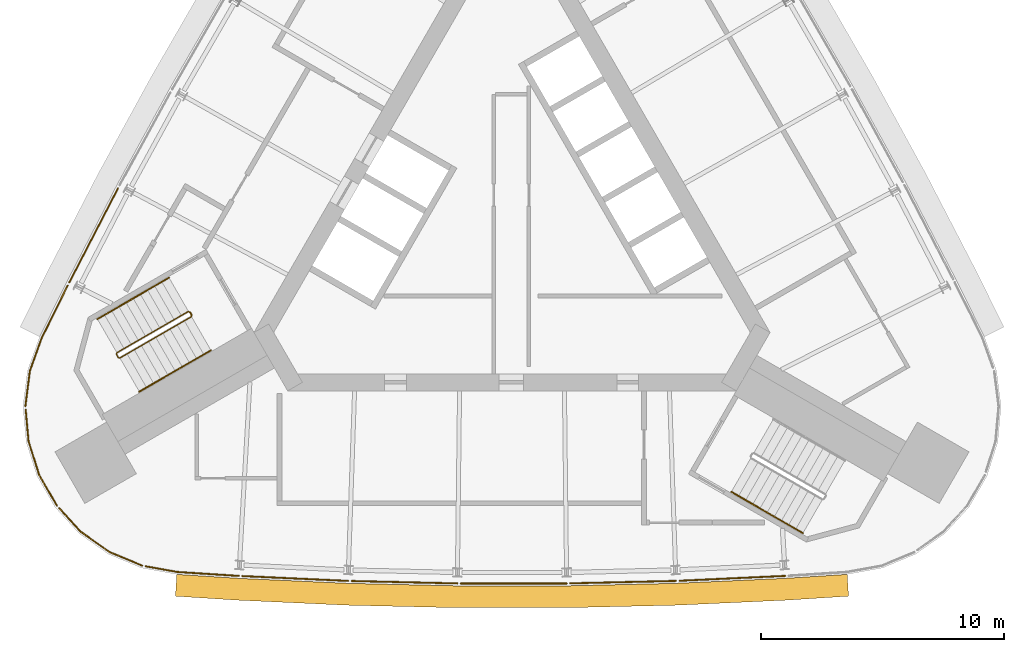
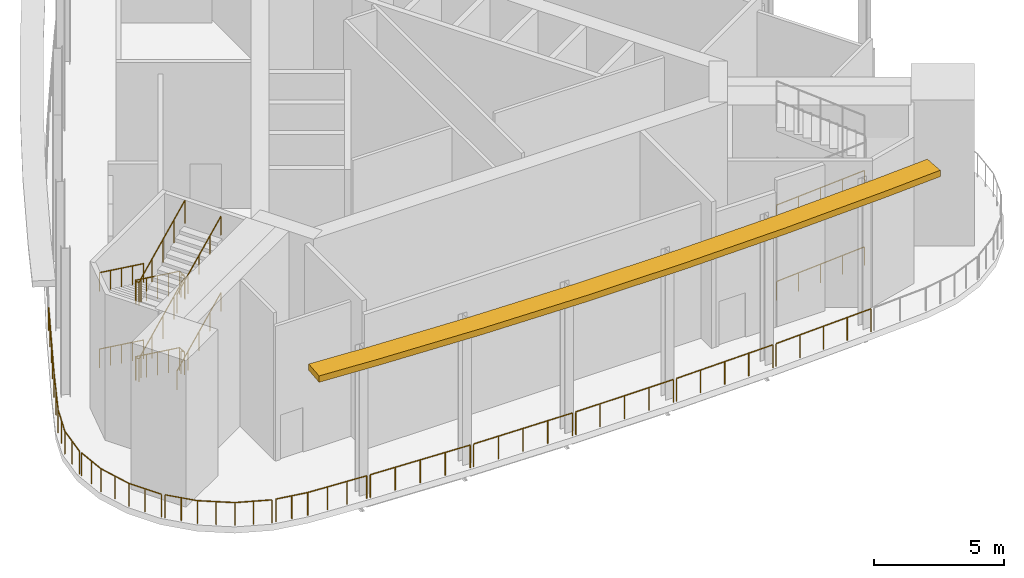
# One storey, part 5 of 7: 17 railings, 1 shading device.
"""IFC4 building model written with IfcOpenShell, lengths in metres."""

from ifc_helpers import new_model, si_unit, direction, frame, origin, origin_2d, place, context, subcontext, project, spatial, polyline, circle, outline, extrude, material, type_object, element, save


model = new_model("IFC4")

# Units and contexts
model_context = context("Model", 3, precision=1e-05, world=origin(), true_north=direction((0.0, 1.0)))
body_context = subcontext(model_context, "Body", "Model", "MODEL_VIEW")
ifc_project = project(units=[si_unit("LENGTHUNIT", "METRE"), si_unit("AREAUNIT", "SQUARE_METRE"), si_unit("VOLUMEUNIT", "CUBIC_METRE"), si_unit("PLANEANGLEUNIT", "RADIAN"), si_unit("MASSUNIT", "GRAM", prefix="KILO")], contexts=[model_context])

# Site, building, storey
site_placement = place(None, origin())
site = spatial("IfcSite", under=ifc_project, at=site_placement, CompositionType="ELEMENT")
building_placement = place(site_placement, origin())
building = spatial("IfcBuilding", under=site, at=building_placement, Name="Noor Cloister Tower", CompositionType="ELEMENT")
storey_placement = place(building_placement, frame((0.0, 0.0, 250.800048828125)))
storey = spatial("IfcBuildingStorey", under=building, at=storey_placement, Name="L65", CompositionType="ELEMENT", Elevation=250.800048828125)

# Shading device
ifc_material_1 = material(Name="Limestone", Category="masonry")
shading_device_type = type_object("IfcShadingDeviceType", Name="SUNSHADE limestone band 900", PredefinedType="USERDEFINED", material=ifc_material_1)
shading_device_placement = place(storey_placement, frame((0.0, 0.0, 6.89990234375)))
element("IfcShadingDevice", 1, at=shading_device_placement, inside=storey, type_object=shading_device_type, Name="SUNSHADE L65 2", ObjectType="SUNSHADE", PredefinedType="USERDEFINED", context=body_context, shape_type="SweptSolid", body=[
    extrude(outline(polyline([(-13.84619140625, -15.376220703125), (-11.293212890625, -15.539306640625), (-6.779541015625, -15.746337890625), (-2.26025390625, -15.85009765625), (2.26025390625, -15.85009765625), (6.779541015625, -15.746337890625), (11.293212890625, -15.539306640625), (13.84619140625, -15.376220703125), (13.788818359375, -14.47802734375), (11.243896484375, -14.640625), (6.748779296875, -14.846923828125), (2.25, -14.949951171875), (-2.25, -14.949951171875), (-6.748779296875, -14.846923828125), (-11.243896484375, -14.640625), (-13.788818359375, -14.47802734375), (-13.84619140625, -15.376220703125)])), origin(), (0.0, 0.0, 1.0), 0.300048828125),
])

# Railings
ifc_material_2 = material(Name="Stainless steel", Category="steel")
railing_type_1 = type_object("IfcRailingType", Name="Stair guard 1100", PredefinedType="GUARDRAIL", material=ifc_material_2)
railing_1_placement = place(storey_placement, frame((-13.241455078125, -3.677734375, 0.0)))
element("IfcRailing", 2, at=railing_1_placement, inside=storey, type_object=railing_type_1, Name="Stair guard ST2 L65", PredefinedType="GUARDRAIL", context=body_context, shape_type="SweptSolid", body=[
    extrude(circle(Radius=0.02392578125, at=origin_2d()), frame((0.0, 0.0, 1.076171875), z_axis=(0.499112439033, -0.866537231285, 0.0), x_axis=(0.866537231285, 0.499112439033, 0.0)), (0.0, 0.0, 1.0), 0.150146484375),
    extrude(circle(Radius=0.02392578125, at=origin_2d()), frame((0.074951171875, -0.130126953125, 1.076171875), z_axis=(-0.544565797804, 0.563119998752, 0.621565731736), x_axis=(-0.718850276695, -0.695164929852, 0.0)), (0.0, 0.0, 1.0), 0.26318359375),
    extrude(circle(Radius=0.02392578125, at=origin_2d()), frame((-0.068359375, 0.01806640625, 1.23974609375), z_axis=(-0.780355043238, -0.450510916679, 0.433688736823), x_axis=(0.499977295307, -0.866038511948, 0.0)), (0.0, 0.0, 1.0), 3.7734375),
    extrude(circle(Radius=0.02392578125, at=origin_2d()), frame((-3.012939453125, -1.681884765625, 2.8759765625), z_axis=(-0.259601060869, -0.965715946433, 0.0), x_axis=(0.965715946433, -0.259601060869, 0.0)), (0.0, 0.0, 1.0), 0.070556640625),
    extrude(circle(Radius=0.02392578125, at=origin_2d()), frame((-3.03125, -1.75, 2.8759765625), z_axis=(0.500331725305, -0.865833797362, 0.0), x_axis=(0.865833797362, 0.500331725305, 0.0)), (0.0, 0.0, 1.0), 0.150390625),
    extrude(circle(Radius=0.02392578125, at=origin_2d()), frame((-2.9560546875, -1.880126953125, 2.8759765625), z_axis=(0.382383415203, -0.102791240646, 0.918268416436), x_axis=(0.259601060869, 0.965715946433, 0.0)), (0.0, 0.0, 1.0), 0.17822265625),
    extrude(circle(Radius=0.02392578125, at=origin_2d()), frame((-2.887939453125, -1.8984375, 3.03955078125), z_axis=(0.780354190629, 0.450575125076, 0.433623562357), x_axis=(-0.500031147688, 0.866007419912, 0.0)), (0.0, 0.0, 1.0), 3.7734375),
    extrude(circle(Radius=0.02392578125, at=origin_2d()), frame((0.056640625, -0.1982421875, 4.67578125), z_axis=(-0.274721127897, 0.961523947641, 0.0), x_axis=(-0.961523947641, -0.274721127897, 0.0)), (0.0, 0.0, 1.0), 0.2060546875),
    extrude(circle(Radius=0.02392578125, at=origin_2d()), frame((0.0, 0.0, 4.67578125), z_axis=(0.499112439033, -0.866537231285, 0.0), x_axis=(0.866537231285, 0.499112439033, 0.0)), (0.0, 0.0, 1.0), 0.150146484375),
    extrude(circle(Radius=0.02392578125, at=origin_2d()), frame((0.074951171875, -0.130126953125, 4.67578125), z_axis=(-0.544251820729, 0.562795323991, 0.622134534428), x_axis=(-0.718850276695, -0.695164929852, 0.0)), (0.0, 0.0, 1.0), 0.263427734375),
    extrude(circle(Radius=0.02392578125, at=origin_2d()), frame((-0.068359375, 0.01806640625, 4.83984375), z_axis=(-0.780376939258, -0.450523557587, 0.433636203209), x_axis=(0.499977295307, -0.866038511948, 0.0)), (0.0, 0.0, 1.0), 3.773193359375),
    extrude(circle(Radius=0.02392578125, at=origin_2d()), frame((-3.012939453125, -1.681884765625, 6.47607421875), z_axis=(-0.259601060869, -0.965715946433, 0.0), x_axis=(0.965715946433, -0.259601060869, 0.0)), (0.0, 0.0, 1.0), 0.070556640625),
    extrude(circle(Radius=0.02392578125, at=origin_2d()), frame((-3.03125, -1.75, 6.47607421875), z_axis=(0.500331725305, -0.865833797362, 0.0), x_axis=(0.865833797362, 0.500331725305, 0.0)), (0.0, 0.0, 1.0), 0.150390625),
    extrude(circle(Radius=0.02392578125, at=origin_2d()), frame((-2.9560546875, -1.880126953125, 6.47607421875), z_axis=(0.382383415203, -0.102791240646, 0.918268416436), x_axis=(0.259601060869, 0.965715946433, 0.0)), (0.0, 0.0, 1.0), 0.17822265625),
    extrude(circle(Radius=0.02392578125, at=origin_2d()), frame((-2.887939453125, -1.8984375, 6.6396484375), z_axis=(0.780332296523, 0.450562483458, 0.433676095149), x_axis=(-0.500031147688, 0.866007419912, 0.0)), (0.0, 0.0, 1.0), 3.7734375),
    extrude(circle(Radius=0.02099609375, at=origin_2d()), origin(), (0.0, 0.0, 1.0), 1.052001953125),
    extrude(circle(Radius=0.02099609375, at=origin_2d()), frame((0.074951171875, -0.130126953125, 0.0)), (0.0, 0.0, 1.0), 1.052001953125),
    extrude(circle(Radius=0.02099609375, at=origin_2d()), frame((-0.068359375, 0.01806640625, 0.16357421875)), (0.0, 0.0, 1.0), 1.052001953125),
    extrude(circle(Radius=0.02099609375, at=origin_2d()), frame((-0.804443359375, -0.406982421875, 0.57275390625)), (0.0, 0.0, 1.0), 1.052001953125),
    extrude(circle(Radius=0.02099609375, at=origin_2d()), frame((-1.54052734375, -0.83203125, 0.98193359375)), (0.0, 0.0, 1.0), 1.052001953125),
    extrude(circle(Radius=0.02099609375, at=origin_2d()), frame((-2.27685546875, -1.2568359375, 1.390869140625)), (0.0, 0.0, 1.0), 1.052001953125),
    extrude(circle(Radius=0.02099609375, at=origin_2d()), frame((-3.012939453125, -1.681884765625, 1.800048828125)), (0.0, 0.0, 1.0), 1.052001953125),
    extrude(circle(Radius=0.02099609375, at=origin_2d()), frame((-3.03125, -1.75, 1.800048828125)), (0.0, 0.0, 1.0), 1.052001953125),
    extrude(circle(Radius=0.02099609375, at=origin_2d()), frame((-2.9560546875, -1.880126953125, 1.800048828125)), (0.0, 0.0, 1.0), 1.052001953125),
    extrude(circle(Radius=0.02099609375, at=origin_2d()), frame((-2.887939453125, -1.8984375, 1.963623046875)), (0.0, 0.0, 1.0), 1.052001953125),
    extrude(circle(Radius=0.02099609375, at=origin_2d()), frame((-2.15185546875, -1.473388671875, 2.37255859375)), (0.0, 0.0, 1.0), 1.052001953125),
    extrude(circle(Radius=0.02099609375, at=origin_2d()), frame((-1.41552734375, -1.04833984375, 2.78173828125)), (0.0, 0.0, 1.0), 1.052001953125),
    extrude(circle(Radius=0.02099609375, at=origin_2d()), frame((-0.679443359375, -0.623291015625, 3.19091796875)), (0.0, 0.0, 1.0), 1.052001953125),
    extrude(circle(Radius=0.02099609375, at=origin_2d()), frame((0.056640625, -0.1982421875, 3.599853515625)), (0.0, 0.0, 1.0), 1.052001953125),
    extrude(circle(Radius=0.02099609375, at=origin_2d()), frame((0.0, 0.0, 3.599853515625)), (0.0, 0.0, 1.0), 1.052001953125),
    extrude(circle(Radius=0.02099609375, at=origin_2d()), frame((0.074951171875, -0.130126953125, 3.599853515625)), (0.0, 0.0, 1.0), 1.052001953125),
    extrude(circle(Radius=0.02099609375, at=origin_2d()), frame((-0.068359375, 0.01806640625, 3.763671875)), (0.0, 0.0, 1.0), 1.052001953125),
    extrude(circle(Radius=0.02099609375, at=origin_2d()), frame((-0.804443359375, -0.406982421875, 4.1728515625)), (0.0, 0.0, 1.0), 1.052001953125),
    extrude(circle(Radius=0.02099609375, at=origin_2d()), frame((-1.54052734375, -0.83203125, 4.581787109375)), (0.0, 0.0, 1.0), 1.052001953125),
    extrude(circle(Radius=0.02099609375, at=origin_2d()), frame((-2.27685546875, -1.2568359375, 4.99072265625)), (0.0, 0.0, 1.0), 1.052001953125),
    extrude(circle(Radius=0.02099609375, at=origin_2d()), frame((-3.012939453125, -1.681884765625, 5.39990234375)), (0.0, 0.0, 1.0), 1.052001953125),
    extrude(circle(Radius=0.02099609375, at=origin_2d()), frame((-3.03125, -1.75, 5.39990234375)), (0.0, 0.0, 1.0), 1.052001953125),
    extrude(circle(Radius=0.02099609375, at=origin_2d()), frame((-2.9560546875, -1.880126953125, 5.39990234375)), (0.0, 0.0, 1.0), 1.052001953125),
    extrude(circle(Radius=0.02099609375, at=origin_2d()), frame((-2.887939453125, -1.8984375, 5.5634765625)), (0.0, 0.0, 1.0), 1.052001953125),
    extrude(circle(Radius=0.02099609375, at=origin_2d()), frame((-2.15185546875, -1.473388671875, 5.97265625)), (0.0, 0.0, 1.0), 1.052001953125),
    extrude(circle(Radius=0.02099609375, at=origin_2d()), frame((-1.41552734375, -1.04833984375, 6.3818359375)), (0.0, 0.0, 1.0), 1.052001953125),
    extrude(circle(Radius=0.02099609375, at=origin_2d()), frame((-0.679443359375, -0.623291015625, 6.790771484375)), (0.0, 0.0, 1.0), 1.052001953125),
    extrude(circle(Radius=0.02099609375, at=origin_2d()), frame((0.056640625, -0.1982421875, 7.199951171875)), (0.0, 0.0, 1.0), 1.052001953125),
])
ifc_material_3 = material(Name="Stainless steel", Category="steel")
railing_type_2 = type_object("IfcRailingType", Name="Stair handrail 900", PredefinedType="HANDRAIL", material=ifc_material_3)
railing_2_placement = place(storey_placement, frame((-14.10986328125, -2.27392578125, 0.16357421875)))
element("IfcRailing", 3, at=railing_2_placement, inside=storey, type_object=railing_type_2, Name="Stair handrail ST2 L65 1", PredefinedType="HANDRAIL", context=body_context, shape_type="SweptSolid", body=[
    extrude(circle(Radius=0.02392578125, at=origin_2d()), frame((0.0, 0.0, 0.8759765625), z_axis=(-0.780329740374, -0.450533663534, 0.433710634306), x_axis=(0.500008388397, -0.866020560687, 0.0)), (0.0, 0.0, 1.0), 3.773193359375),
    extrude(circle(Radius=0.02099609375, at=origin_2d()), origin(), (0.0, 0.0, 1.0), 0.851806640625),
    extrude(circle(Radius=0.02099609375, at=origin_2d()), frame((-0.736083984375, -0.425048828125, 0.4091796875)), (0.0, 0.0, 1.0), 0.851806640625),
    extrude(circle(Radius=0.02099609375, at=origin_2d()), frame((-1.47216796875, -0.85009765625, 0.818359375)), (0.0, 0.0, 1.0), 0.851806640625),
    extrude(circle(Radius=0.02099609375, at=origin_2d()), frame((-2.208251953125, -1.27490234375, 1.227294921875)), (0.0, 0.0, 1.0), 0.851806640625),
    extrude(circle(Radius=0.02099609375, at=origin_2d()), frame((-2.9443359375, -1.699951171875, 1.636474609375)), (0.0, 0.0, 1.0), 0.851806640625),
])
railing_3_placement = place(storey_placement, frame((-15.329345703125, -6.961669921875, 1.963623046875)))
element("IfcRailing", 4, at=railing_3_placement, inside=storey, type_object=railing_type_2, Name="Stair handrail ST2 L65 2", PredefinedType="HANDRAIL", context=body_context, shape_type="SweptSolid", body=[
    extrude(circle(Radius=0.02392578125, at=origin_2d()), frame((0.0, 0.0, 0.8759765625), z_axis=(0.780376939258, 0.450523557587, 0.433636203209), x_axis=(-0.499977295307, 0.866038511948, 0.0)), (0.0, 0.0, 1.0), 3.773193359375),
    extrude(circle(Radius=0.02099609375, at=origin_2d()), origin(), (0.0, 0.0, 1.0), 0.851806640625),
    extrude(circle(Radius=0.02099609375, at=origin_2d()), frame((0.736083984375, 0.425048828125, 0.4091796875)), (0.0, 0.0, 1.0), 0.851806640625),
    extrude(circle(Radius=0.02099609375, at=origin_2d()), frame((1.47216796875, 0.85009765625, 0.818115234375)), (0.0, 0.0, 1.0), 0.851806640625),
    extrude(circle(Radius=0.02099609375, at=origin_2d()), frame((2.20849609375, 1.27490234375, 1.22705078125)), (0.0, 0.0, 1.0), 0.851806640625),
    extrude(circle(Radius=0.02099609375, at=origin_2d()), frame((2.944580078125, 1.699951171875, 1.63623046875)), (0.0, 0.0, 1.0), 0.851806640625),
])
railing_4_placement = place(storey_placement, frame((-14.10986328125, -2.27392578125, 3.763671875)))
element("IfcRailing", 5, at=railing_4_placement, inside=storey, type_object=railing_type_2, Name="Stair handrail ST2 L65 3", PredefinedType="HANDRAIL", context=body_context, shape_type="SweptSolid", body=[
    extrude(circle(Radius=0.02392578125, at=origin_2d()), frame((0.0, 0.0, 0.8759765625), z_axis=(-0.780351637896, -0.450546306357, 0.433658099268), x_axis=(0.500008388397, -0.866020560687, 0.0)), (0.0, 0.0, 1.0), 3.773193359375),
    extrude(circle(Radius=0.02099609375, at=origin_2d()), origin(), (0.0, 0.0, 1.0), 0.851806640625),
    extrude(circle(Radius=0.02099609375, at=origin_2d()), frame((-0.736083984375, -0.425048828125, 0.4091796875)), (0.0, 0.0, 1.0), 0.851806640625),
    extrude(circle(Radius=0.02099609375, at=origin_2d()), frame((-1.47216796875, -0.85009765625, 0.818115234375)), (0.0, 0.0, 1.0), 0.851806640625),
    extrude(circle(Radius=0.02099609375, at=origin_2d()), frame((-2.208251953125, -1.27490234375, 1.22705078125)), (0.0, 0.0, 1.0), 0.851806640625),
    extrude(circle(Radius=0.02099609375, at=origin_2d()), frame((-2.9443359375, -1.699951171875, 1.63623046875)), (0.0, 0.0, 1.0), 0.851806640625),
])
railing_5_placement = place(storey_placement, frame((-15.329345703125, -6.961669921875, 5.5634765625)))
element("IfcRailing", 6, at=railing_5_placement, inside=storey, type_object=railing_type_2, Name="Stair handrail ST2 L65 4", PredefinedType="HANDRAIL", context=body_context, shape_type="SweptSolid", body=[
    extrude(circle(Radius=0.02392578125, at=origin_2d()), frame((0.0, 0.0, 0.8759765625), z_axis=(0.780355043238, 0.450510916679, 0.433688736823), x_axis=(-0.499977295307, 0.866038511948, 0.0)), (0.0, 0.0, 1.0), 3.7734375),
    extrude(circle(Radius=0.02099609375, at=origin_2d()), origin(), (0.0, 0.0, 1.0), 0.851806640625),
    extrude(circle(Radius=0.02099609375, at=origin_2d()), frame((0.736083984375, 0.425048828125, 0.4091796875)), (0.0, 0.0, 1.0), 0.851806640625),
    extrude(circle(Radius=0.02099609375, at=origin_2d()), frame((1.47216796875, 0.85009765625, 0.818359375)), (0.0, 0.0, 1.0), 0.851806640625),
    extrude(circle(Radius=0.02099609375, at=origin_2d()), frame((2.20849609375, 1.27490234375, 1.227294921875)), (0.0, 0.0, 1.0), 0.851806640625),
    extrude(circle(Radius=0.02099609375, at=origin_2d()), frame((2.944580078125, 1.699951171875, 1.636474609375)), (0.0, 0.0, 1.0), 0.851806640625),
])
railing_6_placement = place(storey_placement, frame((9.024169921875, -11.08251953125, 0.16357421875)))
element("IfcRailing", 7, at=railing_6_placement, inside=storey, type_object=railing_type_2, Name="Stair handrail ST3 L65 1", PredefinedType="HANDRAIL", context=body_context, shape_type="SweptSolid", body=[
    extrude(circle(Radius=0.02392578125, at=origin_2d()), frame((0.0, 0.0, 0.8759765625), z_axis=(0.780355043238, -0.450510916679, 0.433688736823), x_axis=(0.499977295307, 0.866038511948, 0.0)), (0.0, 0.0, 1.0), 3.7734375),
    extrude(circle(Radius=0.02099609375, at=origin_2d()), origin(), (0.0, 0.0, 1.0), 0.851806640625),
    extrude(circle(Radius=0.02099609375, at=origin_2d()), frame((0.736083984375, -0.425048828125, 0.4091796875)), (0.0, 0.0, 1.0), 0.851806640625),
    extrude(circle(Radius=0.02099609375, at=origin_2d()), frame((1.47216796875, -0.85009765625, 0.818359375)), (0.0, 0.0, 1.0), 0.851806640625),
    extrude(circle(Radius=0.02099609375, at=origin_2d()), frame((2.20849609375, -1.27490234375, 1.227294921875)), (0.0, 0.0, 1.0), 0.851806640625),
    extrude(circle(Radius=0.02099609375, at=origin_2d()), frame((2.944580078125, -1.699951171875, 1.636474609375)), (0.0, 0.0, 1.0), 0.851806640625),
])
railing_7_placement = place(storey_placement, frame((9.024169921875, -11.08251953125, 3.763671875)))
element("IfcRailing", 8, at=railing_7_placement, inside=storey, type_object=railing_type_2, Name="Stair handrail ST3 L65 3", PredefinedType="HANDRAIL", context=body_context, shape_type="SweptSolid", body=[
    extrude(circle(Radius=0.02392578125, at=origin_2d()), frame((0.0, 0.0, 0.8759765625), z_axis=(0.780376939258, -0.450523557587, 0.433636203209), x_axis=(0.499977295307, 0.866038511948, 0.0)), (0.0, 0.0, 1.0), 3.773193359375),
    extrude(circle(Radius=0.02099609375, at=origin_2d()), origin(), (0.0, 0.0, 1.0), 0.851806640625),
    extrude(circle(Radius=0.02099609375, at=origin_2d()), frame((0.736083984375, -0.425048828125, 0.4091796875)), (0.0, 0.0, 1.0), 0.851806640625),
    extrude(circle(Radius=0.02099609375, at=origin_2d()), frame((1.47216796875, -0.85009765625, 0.818115234375)), (0.0, 0.0, 1.0), 0.851806640625),
    extrude(circle(Radius=0.02099609375, at=origin_2d()), frame((2.20849609375, -1.27490234375, 1.22705078125)), (0.0, 0.0, 1.0), 0.851806640625),
    extrude(circle(Radius=0.02099609375, at=origin_2d()), frame((2.944580078125, -1.699951171875, 1.63623046875)), (0.0, 0.0, 1.0), 0.851806640625),
])
ifc_material_4 = material(Name="Stainless steel grade 316", Category="steel")
railing_type_3 = type_object("IfcRailingType", Name="Wind floor guard 1100", PredefinedType="GUARDRAIL", material=ifc_material_4)
railing_8_placement = place(storey_placement, frame((11.23828125, -14.540771484375, 0.0)))
element("IfcRailing", 9, at=railing_8_placement, inside=storey, type_object=railing_type_3, Name="Wind floor guard L65 10", PredefinedType="GUARDRAIL", context=body_context, shape_type="SweptSolid", body=[
    extrude(circle(Radius=0.02392578125, at=origin_2d()), frame((0.0, 0.0, 1.076171875), z_axis=(-0.998949698958, -0.045820289733, 0.0), x_axis=(0.045820289733, -0.998949698958, 0.0)), (0.0, 0.0, 1.0), 4.347900390625),
    extrude(circle(Radius=0.02099609375, at=origin_2d()), origin(), (0.0, 0.0, 1.0), 1.052001953125),
    extrude(circle(Radius=0.02099609375, at=origin_2d()), frame((-1.0859375, -0.0498046875, 0.0)), (0.0, 0.0, 1.0), 1.052001953125),
    extrude(circle(Radius=0.02099609375, at=origin_2d()), frame((-2.171630859375, -0.099609375, 0.0)), (0.0, 0.0, 1.0), 1.052001953125),
    extrude(circle(Radius=0.02099609375, at=origin_2d()), frame((-3.25732421875, -0.1494140625, 0.0)), (0.0, 0.0, 1.0), 1.052001953125),
    extrude(circle(Radius=0.02099609375, at=origin_2d()), frame((-4.34326171875, -0.19921875, 0.0)), (0.0, 0.0, 1.0), 1.052001953125),
])
railing_9_placement = place(storey_placement, frame((6.7451171875, -14.746826171875, 0.0)))
element("IfcRailing", 10, at=railing_9_placement, inside=storey, type_object=railing_type_3, Name="Wind floor guard L65 11", PredefinedType="GUARDRAIL", context=body_context, shape_type="SweptSolid", body=[
    extrude(circle(Radius=0.02392578125, at=origin_2d()), frame((0.0, 0.0, 1.076171875), z_axis=(-0.999737497819, -0.022911469927, 0.0), x_axis=(0.022911469927, -0.999737497819, 0.0)), (0.0, 0.0, 1.0), 4.34765625),
    extrude(circle(Radius=0.02099609375, at=origin_2d()), origin(), (0.0, 0.0, 1.0), 1.052001953125),
    extrude(circle(Radius=0.02099609375, at=origin_2d()), frame((-1.086669921875, -0.02490234375, 0.0)), (0.0, 0.0, 1.0), 1.052001953125),
    extrude(circle(Radius=0.02099609375, at=origin_2d()), frame((-2.17333984375, -0.0498046875, 0.0)), (0.0, 0.0, 1.0), 1.052001953125),
    extrude(circle(Radius=0.02099609375, at=origin_2d()), frame((-3.259765625, -0.07470703125, 0.0)), (0.0, 0.0, 1.0), 1.052001953125),
    extrude(circle(Radius=0.02099609375, at=origin_2d()), frame((-4.346435546875, -0.099609375, 0.0)), (0.0, 0.0, 1.0), 1.052001953125),
])
railing_10_placement = place(storey_placement, frame((2.248779296875, -14.85009765625, 0.0)))
element("IfcRailing", 11, at=railing_10_placement, inside=storey, type_object=railing_type_3, Name="Wind floor guard L65 12", PredefinedType="GUARDRAIL", context=body_context, shape_type="SweptSolid", body=[
    extrude(circle(Radius=0.02392578125, at=origin_2d()), frame((0.0, 0.0, 1.076171875), z_axis=(-1.0, 0.0, 0.0), x_axis=(0.0, -1.0, 0.0)), (0.0, 0.0, 1.0), 4.34765625),
    extrude(circle(Radius=0.02099609375, at=origin_2d()), origin(), (0.0, 0.0, 1.0), 1.052001953125),
    extrude(circle(Radius=0.02099609375, at=origin_2d()), frame((-1.0869140625, 0.0, 0.0)), (0.0, 0.0, 1.0), 1.052001953125),
    extrude(circle(Radius=0.02099609375, at=origin_2d()), frame((-2.173828125, 0.0, 0.0)), (0.0, 0.0, 1.0), 1.052001953125),
    extrude(circle(Radius=0.02099609375, at=origin_2d()), frame((-3.2607421875, 0.0, 0.0)), (0.0, 0.0, 1.0), 1.052001953125),
    extrude(circle(Radius=0.02099609375, at=origin_2d()), frame((-4.34765625, 0.0, 0.0)), (0.0, 0.0, 1.0), 1.052001953125),
])
railing_11_placement = place(storey_placement, frame((-2.248779296875, -14.85009765625, 0.0)))
element("IfcRailing", 12, at=railing_11_placement, inside=storey, type_object=railing_type_3, Name="Wind floor guard L65 13", PredefinedType="GUARDRAIL", context=body_context, shape_type="SweptSolid", body=[
    extrude(circle(Radius=0.02392578125, at=origin_2d()), frame((0.0, 0.0, 1.076171875), z_axis=(-0.999736209977, 0.022967595904, 0.0), x_axis=(-0.022967595904, -0.999736209977, 0.0)), (0.0, 0.0, 1.0), 4.34765625),
    extrude(circle(Radius=0.02099609375, at=origin_2d()), origin(), (0.0, 0.0, 1.0), 1.052001953125),
    extrude(circle(Radius=0.02099609375, at=origin_2d()), frame((-1.086669921875, 0.02490234375, 0.0)), (0.0, 0.0, 1.0), 1.052001953125),
    extrude(circle(Radius=0.02099609375, at=origin_2d()), frame((-2.17333984375, 0.0498046875, 0.0)), (0.0, 0.0, 1.0), 1.052001953125),
    extrude(circle(Radius=0.02099609375, at=origin_2d()), frame((-3.259765625, 0.074951171875, 0.0)), (0.0, 0.0, 1.0), 1.052001953125),
    extrude(circle(Radius=0.02099609375, at=origin_2d()), frame((-4.346435546875, 0.099853515625, 0.0)), (0.0, 0.0, 1.0), 1.052001953125),
])
railing_12_placement = place(storey_placement, frame((-6.7451171875, -14.746826171875, 0.0)))
element("IfcRailing", 13, at=railing_12_placement, inside=storey, type_object=railing_type_3, Name="Wind floor guard L65 14", PredefinedType="GUARDRAIL", context=body_context, shape_type="SweptSolid", body=[
    extrude(circle(Radius=0.02392578125, at=origin_2d()), frame((0.0, 0.0, 1.076171875), z_axis=(-0.99894981684, 0.045817719664, 0.0), x_axis=(-0.045817719664, -0.99894981684, 0.0)), (0.0, 0.0, 1.0), 4.34814453125),
    extrude(circle(Radius=0.02099609375, at=origin_2d()), origin(), (0.0, 0.0, 1.0), 1.052001953125),
    extrude(circle(Radius=0.02099609375, at=origin_2d()), frame((-1.0859375, 0.0498046875, 0.0)), (0.0, 0.0, 1.0), 1.052001953125),
    extrude(circle(Radius=0.02099609375, at=origin_2d()), frame((-2.171875, 0.099609375, 0.0)), (0.0, 0.0, 1.0), 1.052001953125),
    extrude(circle(Radius=0.02099609375, at=origin_2d()), frame((-3.257568359375, 0.1494140625, 0.0)), (0.0, 0.0, 1.0), 1.052001953125),
    extrude(circle(Radius=0.02099609375, at=origin_2d()), frame((-4.343505859375, 0.19921875, 0.0)), (0.0, 0.0, 1.0), 1.052001953125),
])
railing_13_placement = place(storey_placement, frame((-11.23828125, -14.540771484375, 0.0)))
element("IfcRailing", 14, at=railing_13_placement, inside=storey, type_object=railing_type_3, Name="Wind floor guard L65 15", PredefinedType="GUARDRAIL", context=body_context, shape_type="SweptSolid", body=[
    extrude(circle(Radius=0.02392578125, at=origin_2d()), frame((0.0, 0.0, 1.076171875), z_axis=(-0.997960765444, 0.063830326923, 0.0), x_axis=(-0.063830326923, -0.997960765444, 0.0)), (0.0, 0.0, 1.0), 2.54345703125),
    extrude(circle(Radius=0.02392578125, at=origin_2d()), frame((-2.538330078125, 0.162353515625, 1.076171875), z_axis=(-0.984075175428, 0.177752775243, 0.0), x_axis=(-0.177752775243, -0.984075175428, 0.0)), (0.0, 0.0, 1.0), 1.308837890625),
    extrude(circle(Radius=0.02099609375, at=origin_2d()), origin(), (0.0, 0.0, 1.0), 1.052001953125),
    extrude(circle(Radius=0.02099609375, at=origin_2d()), frame((-0.84619140625, 0.05419921875, 0.0)), (0.0, 0.0, 1.0), 1.052001953125),
    extrude(circle(Radius=0.02099609375, at=origin_2d()), frame((-1.692138671875, 0.108154296875, 0.0)), (0.0, 0.0, 1.0), 1.052001953125),
    extrude(circle(Radius=0.02099609375, at=origin_2d()), frame((-2.538330078125, 0.162353515625, 0.0)), (0.0, 0.0, 1.0), 1.052001953125),
    extrude(circle(Radius=0.02099609375, at=origin_2d()), frame((-3.182373046875, 0.27880859375, 0.0)), (0.0, 0.0, 1.0), 1.052001953125),
    extrude(circle(Radius=0.02099609375, at=origin_2d()), frame((-3.826416015625, 0.39501953125, 0.0)), (0.0, 0.0, 1.0), 1.052001953125),
])
railing_14_placement = place(storey_placement, frame((-15.212158203125, -14.118896484375, 0.0)))
element("IfcRailing", 15, at=railing_14_placement, inside=storey, type_object=railing_type_3, Name="Wind floor guard L65 16", PredefinedType="GUARDRAIL", context=body_context, shape_type="SweptSolid", body=[
    extrude(circle(Radius=0.02392578125, at=origin_2d()), frame((0.0, 0.0, 1.076171875), z_axis=(-0.922668973833, 0.38559300399, 0.0), x_axis=(-0.38559300399, -0.922668973833, 0.0)), (0.0, 0.0, 1.0), 1.45361328125),
    extrude(circle(Radius=0.02392578125, at=origin_2d()), frame((-1.34130859375, 0.560546875, 1.076171875), z_axis=(-0.817888380114, 0.57537691792, 0.0), x_axis=(-0.57537691792, -0.817888380114, 0.0)), (0.0, 0.0, 1.0), 1.45361328125),
    extrude(circle(Radius=0.02392578125, at=origin_2d()), frame((-2.5302734375, 1.39697265625, 1.076171875), z_axis=(-0.674748798145, 0.738047464193, 0.0), x_axis=(-0.738047464193, -0.674748798145, 0.0)), (0.0, 0.0, 1.0), 1.3037109375),
    extrude(circle(Radius=0.02099609375, at=origin_2d()), origin(), (0.0, 0.0, 1.0), 1.052001953125),
    extrude(circle(Radius=0.02099609375, at=origin_2d()), frame((-0.670654296875, 0.2802734375, 0.0)), (0.0, 0.0, 1.0), 1.052001953125),
    extrude(circle(Radius=0.02099609375, at=origin_2d()), frame((-1.34130859375, 0.560546875, 0.0)), (0.0, 0.0, 1.0), 1.052001953125),
    extrude(circle(Radius=0.02099609375, at=origin_2d()), frame((-1.935791015625, 0.978759765625, 0.0)), (0.0, 0.0, 1.0), 1.052001953125),
    extrude(circle(Radius=0.02099609375, at=origin_2d()), frame((-2.5302734375, 1.39697265625, 0.0)), (0.0, 0.0, 1.0), 1.052001953125),
    extrude(circle(Radius=0.02099609375, at=origin_2d()), frame((-2.97021484375, 1.8779296875, 0.0)), (0.0, 0.0, 1.0), 1.052001953125),
    extrude(circle(Radius=0.02099609375, at=origin_2d()), frame((-3.409912109375, 2.359130859375, 0.0)), (0.0, 0.0, 1.0), 1.052001953125),
])
railing_15_placement = place(storey_placement, frame((-18.723388671875, -11.649169921875, 0.0)))
element("IfcRailing", 16, at=railing_15_placement, inside=storey, type_object=railing_type_3, Name="Wind floor guard L65 17", PredefinedType="GUARDRAIL", context=body_context, shape_type="SweptSolid", body=[
    extrude(circle(Radius=0.02392578125, at=origin_2d()), frame((0.0, 0.0, 1.076171875), z_axis=(-0.500022928159, 0.866012165801, 0.0), x_axis=(-0.866012165801, -0.500022928159, 0.0)), (0.0, 0.0, 1.0), 1.45361328125),
    extrude(circle(Radius=0.02392578125, at=origin_2d()), frame((-0.726806640625, 1.2587890625, 1.076171875), z_axis=(-0.301629663091, 0.953425165571, 0.0), x_axis=(-0.953425165571, -0.301629663091, 0.0)), (0.0, 0.0, 1.0), 1.45361328125),
    extrude(circle(Radius=0.02392578125, at=origin_2d()), frame((-1.165283203125, 2.644775390625, 1.076171875), z_axis=(-0.089320063748, 0.996002975002, 0.0), x_axis=(-0.996002975002, -0.089320063748, 0.0)), (0.0, 0.0, 1.0), 1.3037109375),
    extrude(circle(Radius=0.02099609375, at=origin_2d()), origin(), (0.0, 0.0, 1.0), 1.052001953125),
    extrude(circle(Radius=0.02099609375, at=origin_2d()), frame((-0.36328125, 0.62939453125, 0.0)), (0.0, 0.0, 1.0), 1.052001953125),
    extrude(circle(Radius=0.02099609375, at=origin_2d()), frame((-0.726806640625, 1.2587890625, 0.0)), (0.0, 0.0, 1.0), 1.052001953125),
    extrude(circle(Radius=0.02099609375, at=origin_2d()), frame((-0.946044921875, 1.95166015625, 0.0)), (0.0, 0.0, 1.0), 1.052001953125),
    extrude(circle(Radius=0.02099609375, at=origin_2d()), frame((-1.165283203125, 2.644775390625, 0.0)), (0.0, 0.0, 1.0), 1.052001953125),
    extrude(circle(Radius=0.02099609375, at=origin_2d()), frame((-1.2236328125, 3.2939453125, 0.0)), (0.0, 0.0, 1.0), 1.052001953125),
    extrude(circle(Radius=0.02099609375, at=origin_2d()), frame((-1.28173828125, 3.943359375, 0.0)), (0.0, 0.0, 1.0), 1.052001953125),
])
railing_16_placement = place(storey_placement, frame((-20.0185546875, -7.556396484375, 0.0)))
element("IfcRailing", 17, at=railing_16_placement, inside=storey, type_object=railing_type_3, Name="Wind floor guard L65 18", PredefinedType="GUARDRAIL", context=body_context, shape_type="SweptSolid", body=[
    extrude(circle(Radius=0.02392578125, at=origin_2d()), frame((0.0, 0.0, 1.076171875), z_axis=(0.127321093435, 0.991861552419, 0.0), x_axis=(-0.991861552419, 0.127321093435, 0.0)), (0.0, 0.0, 1.0), 1.453369140625),
    extrude(circle(Radius=0.02392578125, at=origin_2d()), frame((0.18505859375, 1.441650390625, 1.076171875), z_axis=(0.337883759739, 0.941187847831, 0.0), x_axis=(-0.941187847831, 0.337883759739, 0.0)), (0.0, 0.0, 1.0), 1.458740234375),
    extrude(circle(Radius=0.02392578125, at=origin_2d()), frame((0.677978515625, 2.814697265625, 1.076171875), z_axis=(0.443783257479, 0.896134153116, 0.0), x_axis=(-0.896134153116, 0.443783257479, 0.0)), (0.0, 0.0, 1.0), 2.3935546875),
    extrude(circle(Radius=0.02099609375, at=origin_2d()), origin(), (0.0, 0.0, 1.0), 1.052001953125),
    extrude(circle(Radius=0.02099609375, at=origin_2d()), frame((0.092529296875, 0.720703125, 0.0)), (0.0, 0.0, 1.0), 1.052001953125),
    extrude(circle(Radius=0.02099609375, at=origin_2d()), frame((0.18505859375, 1.441650390625, 0.0)), (0.0, 0.0, 1.0), 1.052001953125),
    extrude(circle(Radius=0.02099609375, at=origin_2d()), frame((0.431640625, 2.128173828125, 0.0)), (0.0, 0.0, 1.0), 1.052001953125),
    extrude(circle(Radius=0.02099609375, at=origin_2d()), frame((0.677978515625, 2.814697265625, 0.0)), (0.0, 0.0, 1.0), 1.052001953125),
    extrude(circle(Radius=0.02099609375, at=origin_2d()), frame((1.208984375, 3.88720703125, 0.0)), (0.0, 0.0, 1.0), 1.052001953125),
    extrude(circle(Radius=0.02099609375, at=origin_2d()), frame((1.740234375, 4.959716796875, 0.0)), (0.0, 0.0, 1.0), 1.052001953125),
])
railing_17_placement = place(storey_placement, frame((-18.2119140625, -2.46240234375, 0.0)))
element("IfcRailing", 18, at=railing_17_placement, inside=storey, type_object=railing_type_3, Name="Wind floor guard L65 19", PredefinedType="GUARDRAIL", context=body_context, shape_type="SweptSolid", body=[
    extrude(circle(Radius=0.02392578125, at=origin_2d()), frame((0.0, 0.0, 1.076171875), z_axis=(0.459813924092, 0.888015289965, 0.0), x_axis=(-0.888015289965, 0.459813924092, 0.0)), (0.0, 0.0, 1.0), 4.347900390625),
    extrude(circle(Radius=0.02099609375, at=origin_2d()), origin(), (0.0, 0.0, 1.0), 1.052001953125),
    extrude(circle(Radius=0.02099609375, at=origin_2d()), frame((0.499755859375, 0.96533203125, 0.0)), (0.0, 0.0, 1.0), 1.052001953125),
    extrude(circle(Radius=0.02099609375, at=origin_2d()), frame((0.99951171875, 1.9306640625, 0.0)), (0.0, 0.0, 1.0), 1.052001953125),
    extrude(circle(Radius=0.02099609375, at=origin_2d()), frame((1.49951171875, 2.895751953125, 0.0)), (0.0, 0.0, 1.0), 1.052001953125),
    extrude(circle(Radius=0.02099609375, at=origin_2d()), frame((1.999267578125, 3.861083984375, 0.0)), (0.0, 0.0, 1.0), 1.052001953125),
])

save(model, "model.ifc")
